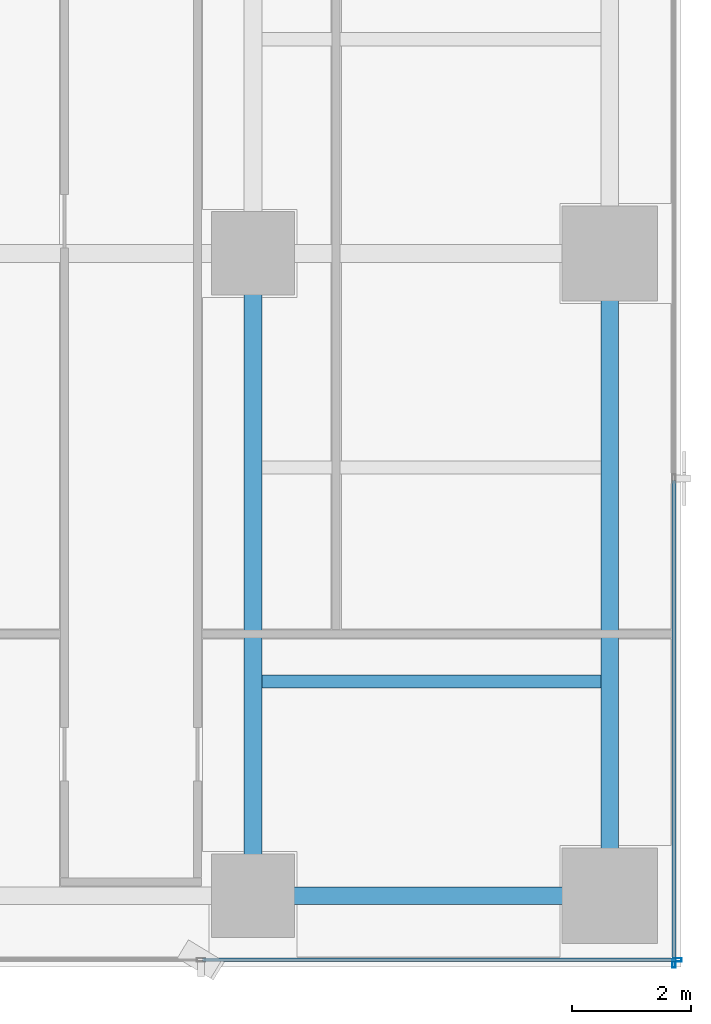
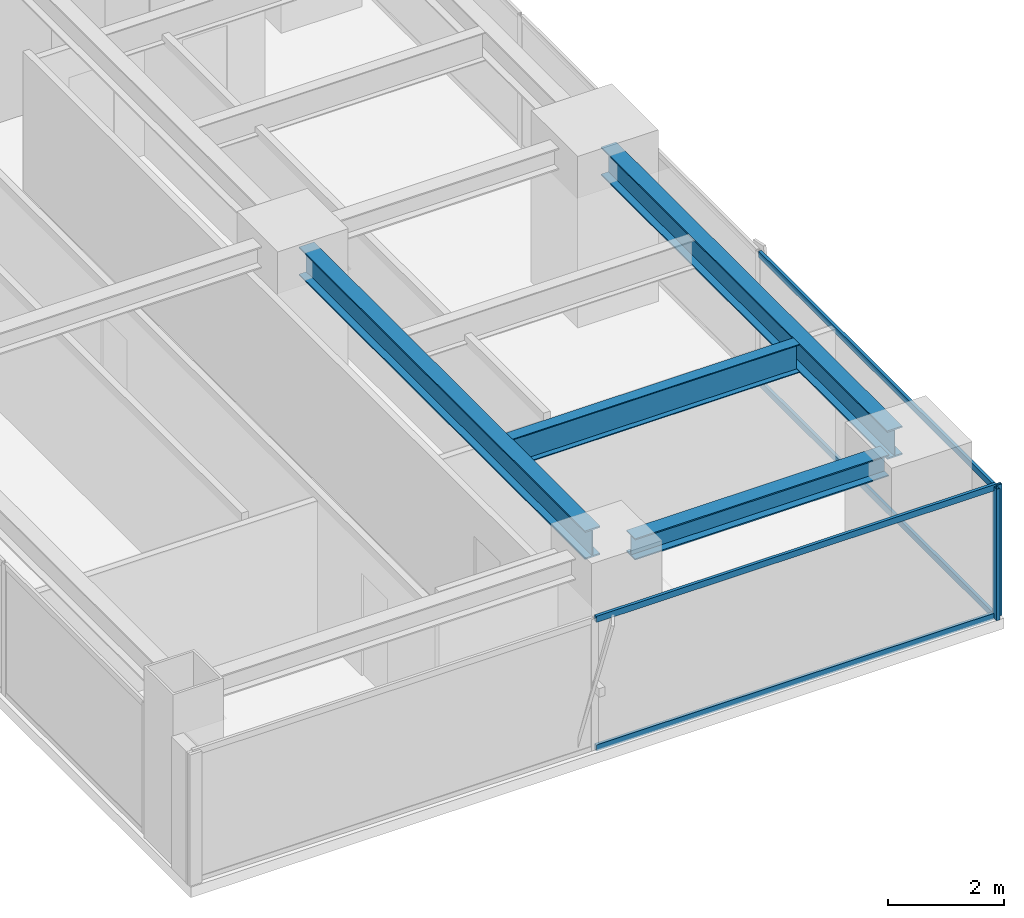
# One storey, part 13 of 30: 6 members, 4 beams, 2 elements without a shape of their own.
"""IFC4 building model written with IfcOpenShell, lengths in metres."""

from ifc_helpers import new_model, si_unit, direction, frame, origin, origin_2d, place, context, subcontext, project, spatial, hollow_rectangle, i_section, extrude, source, transform, mapped, material, layer, layer_set, material_profile, profile_set, type_object, element, aggregate, save


model = new_model("IFC4")

# Units and contexts
model_context = context("Model", 3, precision=1e-05, world=origin(), true_north=direction((0.0, 1.0)))
body_context = subcontext(model_context, "Body", "Model", "MODEL_VIEW")
ifc_project = project(units=[si_unit("LENGTHUNIT", "METRE"), si_unit("AREAUNIT", "SQUARE_METRE"), si_unit("VOLUMEUNIT", "CUBIC_METRE"), si_unit("PLANEANGLEUNIT", "RADIAN"), si_unit("MASSUNIT", "GRAM", prefix="KILO")], contexts=[model_context])

# Site, building, storey
site_placement = place(None, origin())
site = spatial("IfcSite", under=ifc_project, at=site_placement, CompositionType="ELEMENT")
building_placement = place(site_placement, origin())
building = spatial("IfcBuilding", under=site, at=building_placement, Name="Sumidabori Civic Tower", CompositionType="ELEMENT")
storey_placement = place(building_placement, frame((0.0, 0.0, 200.0)))
storey = spatial("IfcBuildingStorey", under=building, at=storey_placement, Name="L51", CompositionType="ELEMENT", Elevation=200.0)

# Beams
ifc_material_1 = material(Name="Steel SN490", Category="steel")
ifc_material_profile_1 = material_profile(ifc_material_1, i_section(OverallWidth=0.300048828125, OverallDepth=0.60009765625, WebThickness=0.015380859375, FlangeThickness=0.030029296875, at=origin_2d()), Name="HE 600 B")
ifc_profile_set_1 = profile_set([ifc_material_profile_1], Name="Steel SN490")
beam_type_1 = type_object("IfcBeamType", Name="BM-GIRD-600", PredefinedType="BEAM", material=ifc_profile_set_1)
shared_shape_1 = source(origin(), body_context, "Body", "SweptSolid", [
    extrude(i_section(OverallWidth=0.300048828125, OverallDepth=0.60009765625, WebThickness=0.015380859375, FlangeThickness=0.030029296875, at=origin_2d()), origin(), (0.0, 0.0, 1.0), 9.840087890625),
])
for number, where, z_axis, x_axis, name in (
    (1, (16.800048828125, -10.320068359375, 3.080078125), (0.0, 1.0, 0.0), (-1.0, 0.0, 0.0), "Primary Girder L51 GY-19"),
    (2, (22.800048828125, -10.320068359375, 3.080078125), (0.0, 1.0, 0.0), (-1.0, 0.0, 0.0), "Primary Girder L51 GY-22"),
):
    element("IfcBeam", number, at=place(storey_placement, frame(where, z_axis=z_axis, x_axis=x_axis)), inside=storey, type_object=beam_type_1, Name=name, PredefinedType="BEAM", context=body_context, shape_type="MappedRepresentation", body=[
        mapped(shared_shape_1, transform((0.0, 0.0, 0.0), x_axis=(1.0, 0.0, 0.0), y_axis=(0.0, 1.0, 0.0), z_axis=(0.0, 0.0, 1.0), scale=1.0)),
    ])
ifc_material_profile_2 = material_profile(ifc_material_1, i_section(OverallWidth=0.219970703125, OverallDepth=0.60009765625, WebThickness=0.011962890625, FlangeThickness=0.01904296875, at=origin_2d()), Name="IPE 600")
ifc_profile_set_2 = profile_set([ifc_material_profile_2], Name="Steel SN490")
beam_type_2 = type_object("IfcBeamType", Name="BM-JST-600", PredefinedType="JOIST", material=ifc_profile_set_2)
shared_shape_2 = source(origin(), body_context, "Body", "SweptSolid", [
    extrude(i_section(OverallWidth=0.219970703125, OverallDepth=0.60009765625, WebThickness=0.011962890625, FlangeThickness=0.01904296875, at=origin_2d()), origin(), (0.0, 0.0, 1.0), 5.699951171875),
])
beam_1_placement = place(storey_placement, frame((16.949951171875, -7.199951171875, 3.080078125), z_axis=(1.0, 0.0, 0.0), x_axis=(0.0, 1.0, 0.0)))
element("IfcBeam", 3, at=beam_1_placement, inside=storey, type_object=beam_type_2, Name="Outer Bay Floor Joist L51 JSTO-26", PredefinedType="JOIST", context=body_context, shape_type="MappedRepresentation", body=[
    mapped(shared_shape_2, transform((0.0, 0.0, 0.0), x_axis=(1.0, 0.0, 0.0), y_axis=(0.0, 1.0, 0.0), z_axis=(0.0, 0.0, 1.0), scale=1.0)),
])
ifc_material_profile_3 = material_profile(ifc_material_1, i_section(OverallWidth=0.300048828125, OverallDepth=0.449951171875, WebThickness=0.013916015625, FlangeThickness=0.02587890625, at=origin_2d()), Name="HE 450 B")
ifc_profile_set_3 = profile_set([ifc_material_profile_3], Name="Steel SN490")
beam_type_3 = type_object("IfcBeamType", Name="BM-GIRD-450", PredefinedType="BEAM", material=ifc_profile_set_3)
shared_shape_3 = source(origin(), body_context, "Body", "SweptSolid", [
    extrude(i_section(OverallWidth=0.300048828125, OverallDepth=0.449951171875, WebThickness=0.013916015625, FlangeThickness=0.02587890625, at=origin_2d()), origin(), (0.0, 0.0, 1.0), 5.0400390625),
])
beam_2_placement = place(storey_placement, frame((17.280029296875, -10.800048828125, 3.155029296875), z_axis=(1.0, 0.0, 0.0), x_axis=(0.0, 1.0, 0.0)))
element("IfcBeam", 4, at=beam_2_placement, inside=storey, type_object=beam_type_3, Name="Primary Girder L51 GX-04", PredefinedType="BEAM", context=body_context, shape_type="MappedRepresentation", body=[
    mapped(shared_shape_3, transform((0.0, 0.0, 0.0), x_axis=(1.0, 0.0, 0.0), y_axis=(0.0, 1.0, 0.0), z_axis=(0.0, 0.0, 1.0), scale=1.0)),
])

# Curtain wall, member
ifc_material_2 = material(Name="Anodised Bronze Aluminium AW-6063-T6", Category="aluminium")
ifc_layer = layer(ifc_material_2, 0.179931640625, Name="Anodised Bronze Aluminium AW-6063-T6")
ifc_layer_set = layer_set([ifc_layer], Name="Anodised Bronze Aluminium AW-6063-T6")
curtain_wall_type = type_object("IfcCurtainWallType", Name="CW-SYS-5", PredefinedType="NOTDEFINED", material=ifc_layer_set)
curtain_wall_1_placement = place(storey_placement, origin())
curtain_wall_1 = element("IfcCurtainWall", 5, at=curtain_wall_1_placement, inside=storey, type_object=curtain_wall_type, Name="Curtain Wall CW:L51:R09", PredefinedType="NOTDEFINED")
ifc_material_profile_4 = material_profile(ifc_material_2, hollow_rectangle(XDim=0.06005859375, YDim=0.139892578125, WallThickness=0.0048828125, at=origin_2d()), Name="ALU MULLION 140x60")
ifc_profile_set_4 = profile_set([ifc_material_profile_4], Name="Anodised Bronze Aluminium AW-6063-T6")
member_type_1 = type_object("IfcMemberType", Name="CW-MUL-140", PredefinedType="MULLION", material=ifc_profile_set_4)
shared_shape_4 = source(origin(), body_context, "Body", "SweptSolid", [
    extrude(hollow_rectangle(XDim=0.06005859375, YDim=0.139892578125, WallThickness=0.0048828125, at=origin_2d()), origin(), (0.0, 0.0, 1.0), 2.760009765625),
])
member_1_placement = place(storey_placement, frame((23.93994140625, -11.8798828125, 0.0), z_axis=(0.0, 0.0, 1.0), x_axis=(0.0, 1.0, 0.0)))
member_1 = element("IfcMember", 6, at=member_1_placement, type_object=member_type_1, Name="CW-5 mullion 3", PredefinedType="MULLION", context=body_context, shape_type="MappedRepresentation", body=[
    mapped(shared_shape_4, transform((0.0, 0.0, 0.0), x_axis=(1.0, 0.0, 0.0), y_axis=(0.0, 1.0, 0.0), z_axis=(0.0, 0.0, 1.0), scale=1.0)),
])

curtain_wall_2_placement = place(storey_placement, origin())
curtain_wall_2 = element("IfcCurtainWall", 7, at=curtain_wall_2_placement, inside=storey, type_object=curtain_wall_type, Name="Curtain Wall CW:L51:R10", PredefinedType="NOTDEFINED")
member_2_placement = place(storey_placement, frame((23.8798828125, -11.93994140625, 0.0), z_axis=(0.0, 0.0, 1.0), x_axis=(-1.0, 0.0, 0.0)))
member_2 = element("IfcMember", 8, at=member_2_placement, type_object=member_type_1, Name="CW-5 mullion 1", PredefinedType="MULLION", context=body_context, shape_type="MappedRepresentation", body=[
    mapped(shared_shape_4, transform((0.0, 0.0, 0.0), x_axis=(1.0, 0.0, 0.0), y_axis=(0.0, 1.0, 0.0), z_axis=(0.0, 0.0, 1.0), scale=1.0)),
])

# Member
ifc_material_profile_5 = material_profile(ifc_material_2, hollow_rectangle(XDim=0.06005859375, YDim=0.1298828125, WallThickness=0.0048828125, at=origin_2d()), Name="ALU TRANSOM 130x60")
ifc_profile_set_5 = profile_set([ifc_material_profile_5], Name="Anodised Bronze Aluminium AW-6063-T6")
member_type_2 = type_object("IfcMemberType", Name="CW-TRN-130", PredefinedType="USERDEFINED", material=ifc_profile_set_5)
shared_shape_5 = source(origin(), body_context, "Body", "SweptSolid", [
    extrude(hollow_rectangle(XDim=0.06005859375, YDim=0.1298828125, WallThickness=0.0048828125, at=origin_2d()), origin(), (0.0, 0.0, 1.0), 7.954833984375),
])
member_3_placement = place(storey_placement, frame((15.955078125, -11.8798828125, 0.030029296875), z_axis=(1.0, 0.0, 0.0), x_axis=(0.0, 1.0, 0.0)))
member_3 = element("IfcMember", 9, at=member_3_placement, type_object=member_type_2, Name="CW-5 transom 2.1", ObjectType="TRANSOM", PredefinedType="USERDEFINED", context=body_context, shape_type="MappedRepresentation", body=[
    mapped(shared_shape_5, transform((0.0, 0.0, 0.0), x_axis=(1.0, 0.0, 0.0), y_axis=(0.0, 1.0, 0.0), z_axis=(0.0, 0.0, 1.0), scale=1.0)),
])

member_4_placement = place(storey_placement, frame((15.955078125, -11.8798828125, 2.72998046875), z_axis=(1.0, 0.0, 0.0), x_axis=(0.0, 1.0, 0.0)))
member_4 = element("IfcMember", 10, at=member_4_placement, type_object=member_type_2, Name="CW-5 transom 2.2", ObjectType="TRANSOM", PredefinedType="USERDEFINED", context=body_context, shape_type="MappedRepresentation", body=[
    mapped(shared_shape_5, transform((0.0, 0.0, 0.0), x_axis=(1.0, 0.0, 0.0), y_axis=(0.0, 1.0, 0.0), z_axis=(0.0, 0.0, 1.0), scale=1.0)),
])

aggregate(curtain_wall_1, [member_1, member_3, member_4])

shared_shape_6 = source(origin(), body_context, "Body", "SweptSolid", [
    extrude(hollow_rectangle(XDim=0.06005859375, YDim=0.1298828125, WallThickness=0.0048828125, at=origin_2d()), origin(), (0.0, 0.0, 1.0), 8.094970703125),
])
member_5_placement = place(storey_placement, frame((23.8798828125, -11.909912109375, 0.030029296875), z_axis=(0.0, 1.0, 0.0), x_axis=(-1.0, 0.0, 0.0)))
member_5 = element("IfcMember", 11, at=member_5_placement, type_object=member_type_2, Name="CW-5 transom 1.1", ObjectType="TRANSOM", PredefinedType="USERDEFINED", context=body_context, shape_type="MappedRepresentation", body=[
    mapped(shared_shape_6, transform((0.0, 0.0, 0.0), x_axis=(1.0, 0.0, 0.0), y_axis=(0.0, 1.0, 0.0), z_axis=(0.0, 0.0, 1.0), scale=1.0)),
])

member_6_placement = place(storey_placement, frame((23.8798828125, -11.909912109375, 2.72998046875), z_axis=(0.0, 1.0, 0.0), x_axis=(-1.0, 0.0, 0.0)))
member_6 = element("IfcMember", 12, at=member_6_placement, type_object=member_type_2, Name="CW-5 transom 1.2", ObjectType="TRANSOM", PredefinedType="USERDEFINED", context=body_context, shape_type="MappedRepresentation", body=[
    mapped(shared_shape_6, transform((0.0, 0.0, 0.0), x_axis=(1.0, 0.0, 0.0), y_axis=(0.0, 1.0, 0.0), z_axis=(0.0, 0.0, 1.0), scale=1.0)),
])

aggregate(curtain_wall_2, [member_2, member_5, member_6])

save(model, "model.ifc")
